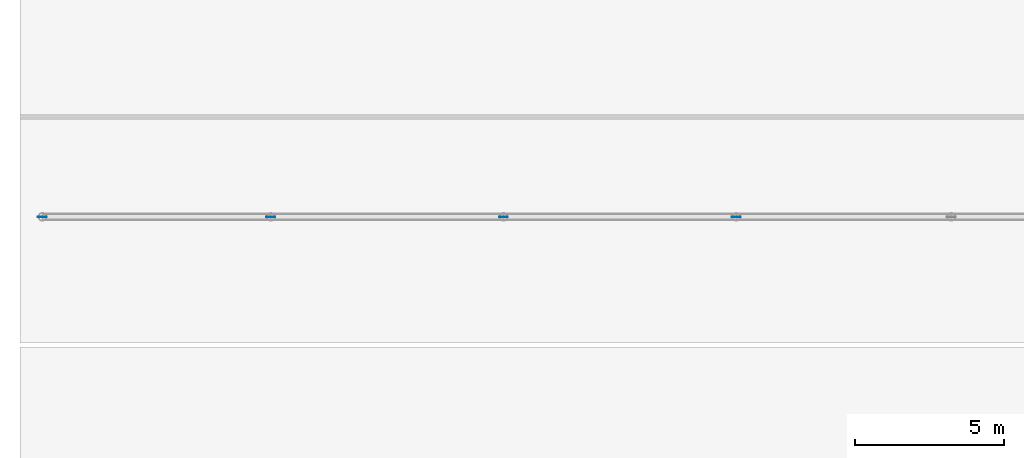
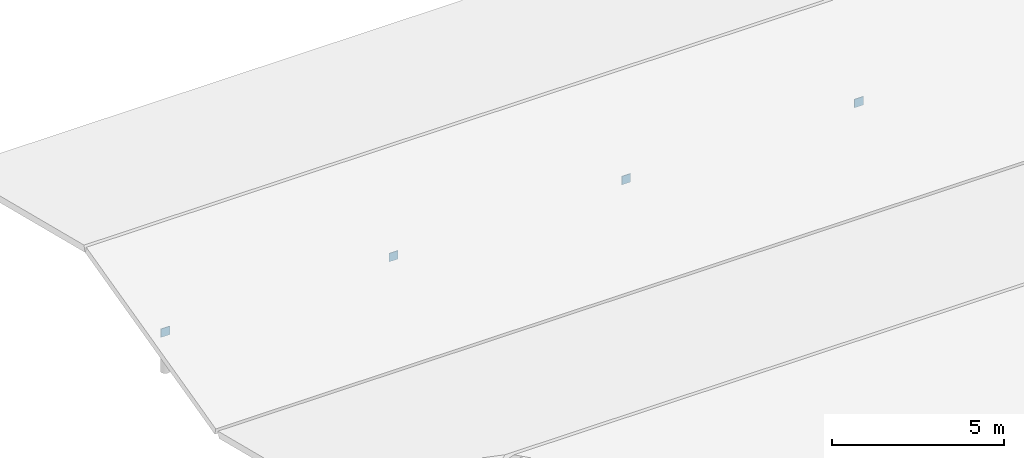
# One storey, part 74 of 91: 4 plates.
"""IFC4 building model written with IfcOpenShell, lengths in metres."""

from ifc_helpers import new_model, si_unit, direction, frame, origin, origin_2d, place, context, subcontext, project, spatial, rectangle, extrude, material, layer, layer_set, type_object, element, save


model = new_model("IFC4")

# Units and contexts
model_context = context("Model", 3, precision=1e-05, world=origin(), true_north=direction((0.0, 1.0)))
body_context = subcontext(model_context, "Body", "Model", "MODEL_VIEW")
ifc_project = project(units=[si_unit("LENGTHUNIT", "METRE"), si_unit("AREAUNIT", "SQUARE_METRE"), si_unit("VOLUMEUNIT", "CUBIC_METRE"), si_unit("PLANEANGLEUNIT", "RADIAN"), si_unit("MASSUNIT", "GRAM", prefix="KILO")], contexts=[model_context])

# Site, building, storey
site_placement = place(None, origin())
site = spatial("IfcSite", under=ifc_project, at=site_placement, CompositionType="ELEMENT")
building_placement = place(site_placement, origin())
building = spatial("IfcBuilding", under=site, at=building_placement, Name="Valcora Specialist Clinic", CompositionType="ELEMENT")
storey_placement = place(building_placement, frame((0.0, 0.0, 13.60009765625)))
storey = spatial("IfcBuildingStorey", under=building, at=storey_placement, Name="L03", CompositionType="ELEMENT", Elevation=13.60009765625)

# Plates
ifc_material = material(Name="Steel ASTM A572 Grade 50", Category="steel")
ifc_layer = layer(ifc_material, 0.02001953125)
ifc_layer_set = layer_set([ifc_layer], Name="Steel ASTM A572 Grade 50")
plate_type = type_object("IfcPlateType", Name="TY-PL-EC273", PredefinedType="USERDEFINED", material=ifc_layer_set)
for number, where, z_axis, x_axis, name in (
    (1, (0.75, 99.800048828125, 1.2431640625), (0.0, 0.0, 1.0), (1.0, 0.0, 0.0), "Stub post end-cap plate COL-RFV2-7-998"),
    (2, (8.39990234375, 99.800048828125, 1.2431640625), (0.0, 0.0, 1.0), (1.0, 0.0, 0.0), "Stub post end-cap plate COL-RFV2-84-998"),
    (3, (16.199951171875, 99.800048828125, 1.2431640625), (0.0, 0.0, 1.0), (1.0, 0.0, 0.0), "Stub post end-cap plate COL-RFV2-162-998"),
    (4, (24.0, 99.800048828125, 1.2431640625), (0.0, 0.0, 1.0), (1.0, 0.0, 0.0), "Stub post end-cap plate COL-RFV2-240-998"),
):
    element("IfcPlate", number, at=place(storey_placement, frame(where, z_axis=z_axis, x_axis=x_axis)), inside=storey, type_object=plate_type, Name=name, ObjectType="FLANGE_PLATE", PredefinedType="USERDEFINED", context=body_context, shape_type="SweptSolid", body=[
        extrude(rectangle(XDim=0.300048828125, YDim=0.02001953125, at=origin_2d()), origin(), (0.0, 0.0, 1.0), 0.300048828125),
    ])

save(model, "model.ifc")
